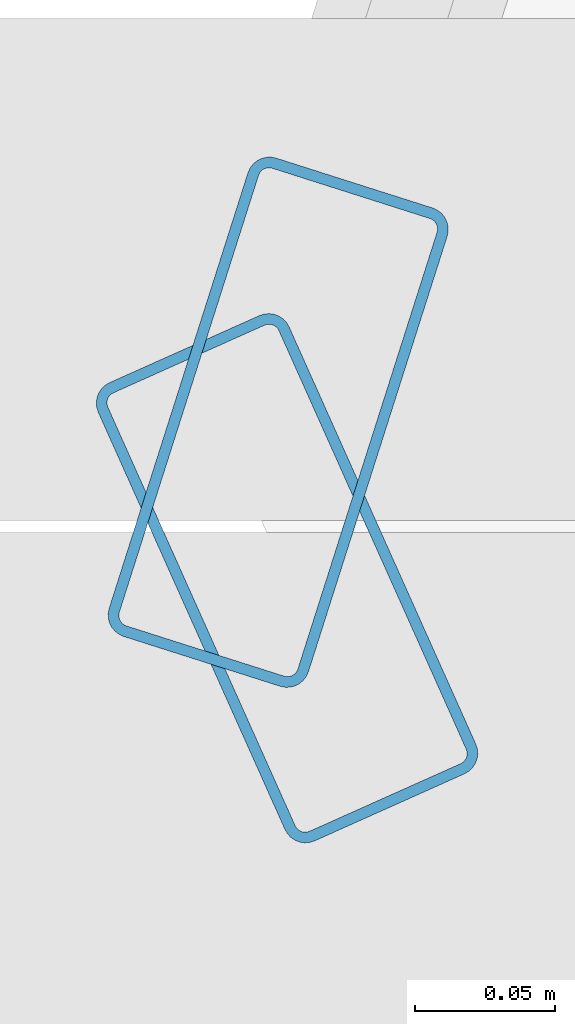
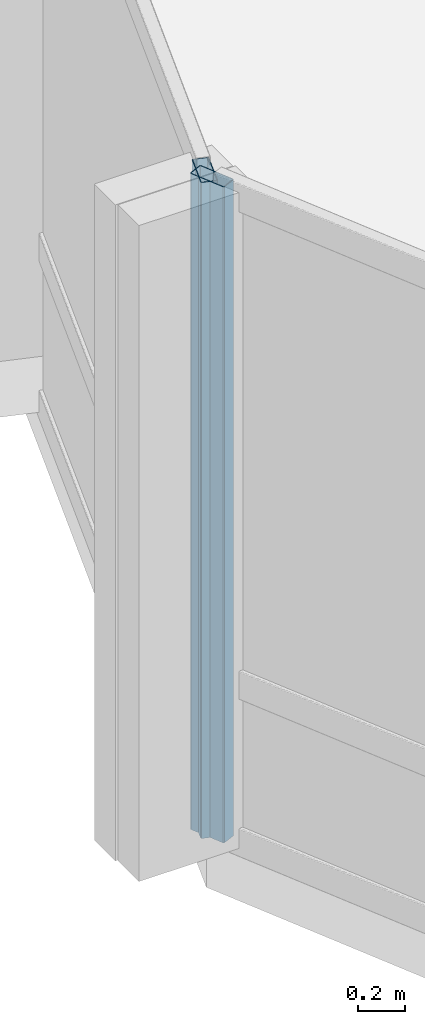
# One storey, part 6 of 19: 2 members, 2 elements without a shape of their own.
"""IFC4 building model written with IfcOpenShell, lengths in metres."""

from ifc_helpers import new_model, si_unit, direction, frame, origin, origin_2d, place, context, subcontext, project, spatial, hollow_rectangle, extrude, material, layer, layer_set, material_profile, profile_set, type_object, element, aggregate, save


model = new_model("IFC4")

# Units and contexts
model_context = context("Model", 3, precision=1e-05, world=origin(), true_north=direction((0.0, 1.0)))
body_context = subcontext(model_context, "Body", "Model", "MODEL_VIEW")
ifc_project = project(units=[si_unit("LENGTHUNIT", "METRE"), si_unit("AREAUNIT", "SQUARE_METRE"), si_unit("VOLUMEUNIT", "CUBIC_METRE"), si_unit("PLANEANGLEUNIT", "RADIAN"), si_unit("MASSUNIT", "GRAM", prefix="KILO")], contexts=[model_context])

# Site, building, storey
site_placement = place(None, origin())
site = spatial("IfcSite", under=ifc_project, at=site_placement, CompositionType="ELEMENT")
building_placement = place(site_placement, origin())
building = spatial("IfcBuilding", under=site, at=building_placement, Name="Solvaryn Broadcast Tower", CompositionType="ELEMENT")
storey_placement = place(building_placement, frame((0.0, 0.0, 251.89990234375)))
storey = spatial("IfcBuildingStorey", under=building, at=storey_placement, Name="L63", CompositionType="ELEMENT", Elevation=251.89990234375)

# Curtain wall, member
ifc_material_1 = material(Name="Aluminium and Terracotta Unitised Curtain Wall", Category="masonry")
ifc_layer = layer(ifc_material_1, 0.199951171875)
ifc_layer_set = layer_set([ifc_layer], Name="CW-SYS2-LOWMID")
curtain_wall_type = type_object("IfcCurtainWallType", Name="CW-SYS2-LOWMID", PredefinedType="NOTDEFINED", material=ifc_layer_set)
curtain_wall_1_placement = place(storey_placement, origin())
curtain_wall_1 = element("IfcCurtainWall", 1, at=curtain_wall_1_placement, inside=storey, type_object=curtain_wall_type, Name="L63 Curtain Wall DR1", PredefinedType="NOTDEFINED")
ifc_material_2 = material(Name="Anodised Aluminium 6063-T6", Category="aluminium")
ifc_material_profile = material_profile(ifc_material_2, hollow_rectangle(XDim=0.074951171875, YDim=0.179931640625, WallThickness=0.00390625, InnerFilletRadius=0.00390625, OuterFilletRadius=0.008056640625, at=origin_2d()))
ifc_profile_set = profile_set([ifc_material_profile], Name="Anodised Aluminium 6063-T6")
member_type = type_object("IfcMemberType", Name="CW-MUL-180", PredefinedType="MULLION", material=ifc_profile_set)
member_1_placement = place(storey_placement, frame((3.7470703125, 26.66455078125, 0.0), z_axis=(0.0, 0.0, 1.0), x_axis=(0.952794594701, -0.30361564569, 0.0)))
member_1 = element("IfcMember", 2, at=member_1_placement, type_object=member_type, Name="CWS2 mullion 2", PredefinedType="MULLION", context=body_context, shape_type="SweptSolid", body=[
    extrude(hollow_rectangle(XDim=0.074951171875, YDim=0.179931640625, WallThickness=0.00390625, InnerFilletRadius=0.00390625, OuterFilletRadius=0.008056640625, at=origin_2d()), origin(), (0.0, 0.0, 1.0), 3.420166015625),
])
aggregate(curtain_wall_1, [member_1])

curtain_wall_2_placement = place(storey_placement, origin())
curtain_wall_2 = element("IfcCurtainWall", 3, at=curtain_wall_2_placement, inside=storey, type_object=curtain_wall_type, Name="L63 Curtain Wall DR2", PredefinedType="NOTDEFINED")
member_2_placement = place(storey_placement, frame((3.750244140625, 26.608642578125, 0.0), z_axis=(0.0, 0.0, 1.0), x_axis=(0.912773530574, 0.408466010682, 0.0)))
member_2 = element("IfcMember", 4, at=member_2_placement, type_object=member_type, Name="CWS2 mullion 1", PredefinedType="MULLION", context=body_context, shape_type="SweptSolid", body=[
    extrude(hollow_rectangle(XDim=0.074951171875, YDim=0.179931640625, WallThickness=0.00390625, InnerFilletRadius=0.00390625, OuterFilletRadius=0.008056640625, at=origin_2d()), origin(), (0.0, 0.0, 1.0), 3.420166015625),
])
aggregate(curtain_wall_2, [member_2])

save(model, "model.ifc")
